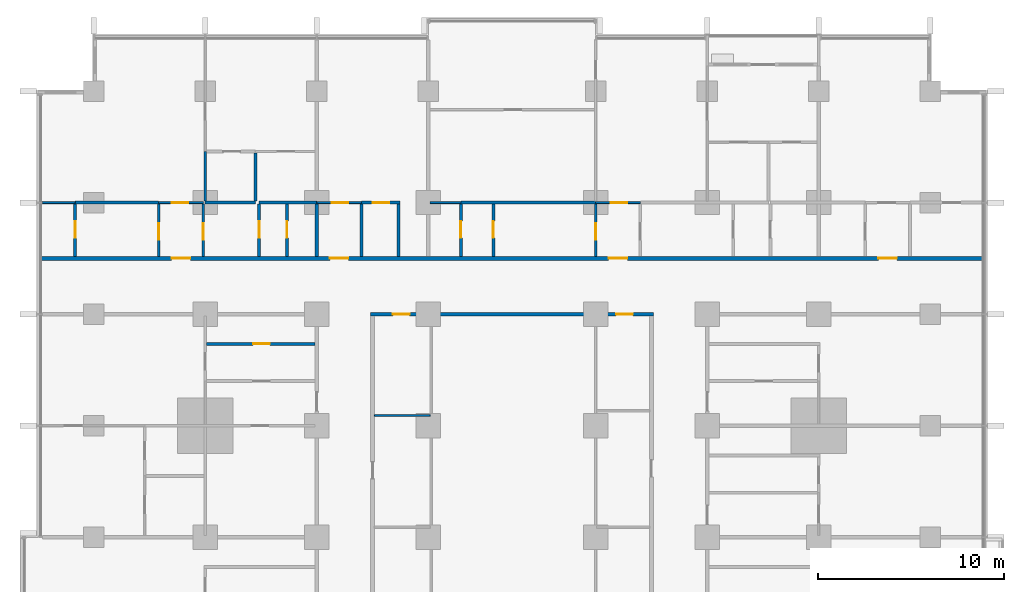
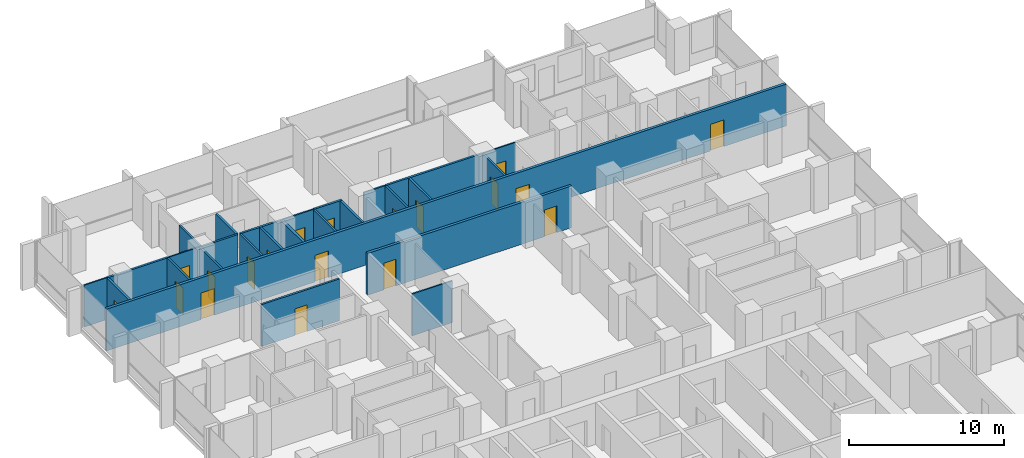
# One storey, part 11 of 18: 27 walls, 19 doors, 19 openings.
"""IFC4 building model written with IfcOpenShell, lengths in metres."""

from ifc_helpers import new_model, si_unit, direction, frame, frame_2d, origin, place, context, subcontext, project, spatial, rectangle, extrude, material, layer, layer_set, type_object, element, fill, save


model = new_model("IFC4")

# Units and contexts
model_context = context("Model", 3, precision=1e-05, world=origin(), true_north=direction((0.0, 1.0)))
body_context = subcontext(model_context, "Body", "Model", "MODEL_VIEW")
ifc_project = project(units=[si_unit("LENGTHUNIT", "METRE"), si_unit("AREAUNIT", "SQUARE_METRE"), si_unit("VOLUMEUNIT", "CUBIC_METRE"), si_unit("PLANEANGLEUNIT", "RADIAN"), si_unit("MASSUNIT", "GRAM", prefix="KILO")], contexts=[model_context])

# Site, building, storey
site_placement = place(None, origin())
site = spatial("IfcSite", under=ifc_project, at=site_placement, CompositionType="ELEMENT")
building_placement = place(site_placement, origin())
building = spatial("IfcBuilding", under=site, at=building_placement, Name="Finial Court Residences", CompositionType="ELEMENT")
storey_placement = place(building_placement, frame((0.0, 0.0, 46.89990234375)))
storey = spatial("IfcBuildingStorey", under=building, at=storey_placement, Name="L10", CompositionType="ELEMENT", Elevation=46.89990234375)

# Wall
ifc_material_1 = material(Name="Gypsum board")
ifc_layer_1 = layer(ifc_material_1, 0.02490234375)
ifc_material_2 = material(Name="Acoustic mineral wool in double frame")
ifc_layer_2 = layer(ifc_material_2, 0.14990234375)
ifc_layer_3 = layer(ifc_material_1, 0.02490234375)
ifc_layer_set_1 = layer_set([ifc_layer_1, ifc_layer_2, ifc_layer_3], Name="Acoustic party wall 200, 1 hour")
wall_type_1 = type_object("IfcWallType", Name="Acoustic party wall 200, 1 hour", PredefinedType="PARTITIONING", material=ifc_layer_set_1)
wall_1_placement = place(storey_placement, frame((-10.5, 16.60009765625, 0.0), z_axis=(0.0, 0.0, 1.0), x_axis=(0.0, 1.0, 0.0)))
element("IfcWall", 1, at=wall_1_placement, inside=storey, type_object=wall_type_1, Name="Partition L10-077", PredefinedType="PARTITIONING", context=body_context, shape_type="SweptSolid", body=[
    extrude(rectangle(XDim=2.824951171875, YDim=0.199951171875, at=frame_2d((1.41259765625, 0.0))), origin(), (0.0, 0.0, 1.0), 3.300048828125),
])

# Wall, openings, doors
ifc_layer_4 = layer(ifc_material_1, 0.02490234375)
ifc_layer_5 = layer(ifc_material_2, 0.14990234375)
ifc_layer_6 = layer(ifc_material_1, 0.02490234375)
ifc_layer_set_2 = layer_set([ifc_layer_4, ifc_layer_5, ifc_layer_6], Name="Corridor wall 200, 1 hour")
wall_type_2 = type_object("IfcWallType", Name="Corridor wall 200, 1 hour", PredefinedType="PARTITIONING", material=ifc_layer_set_2)
wall_2_placement = place(storey_placement, frame((-7.60009765625, 13.5, 0.0), z_axis=(0.0, 0.0, 1.0), x_axis=(1.0, 0.0, 0.0)))
wall_2 = element("IfcWall", 2, at=wall_2_placement, inside=storey, type_object=wall_type_2, Name="Partition L10-033", PredefinedType="PARTITIONING", context=body_context, shape_type="SweptSolid", body=[
    extrude(rectangle(XDim=15.2001953125, YDim=0.199951171875, at=frame_2d((7.60009765625, 0.0))), origin(), (0.0, 0.0, 1.0), 3.300048828125),
])
opening_1_placement = place(wall_2_placement, frame((1.199951171875, 0.0, 0.0)))
opening_1 = element("IfcOpeningElement", 3, at=opening_1_placement, cuts=wall_2, Name="Opening L10-D017", PredefinedType="OPENING", context=body_context, shape_type="SweptSolid", body=[
    extrude(rectangle(XDim=0.89990234375, YDim=2.10009765625, at=frame_2d((0.449951171875, 1.050048828125))), frame((0.0, 0.10986328125, 0.0), z_axis=(0.0, -1.0, 0.0), x_axis=(1.0, 0.0, 0.0)), (0.0, 0.0, 1.0), 0.219970703125),
])
opening_2_placement = place(wall_2_placement, frame((13.199951171875, 0.0, 0.0)))
opening_2 = element("IfcOpeningElement", 4, at=opening_2_placement, cuts=wall_2, Name="Opening L10-D018", PredefinedType="OPENING", context=body_context, shape_type="SweptSolid", body=[
    extrude(rectangle(XDim=0.89990234375, YDim=2.10009765625, at=frame_2d((0.449951171875, 1.050048828125))), frame((0.0, 0.10986328125, 0.0), z_axis=(0.0, -1.0, 0.0), x_axis=(1.0, 0.0, 0.0)), (0.0, 0.0, 1.0), 0.219970703125),
])
ifc_material_3 = material(Name="Timber door leaf in hollow metal frame", Category="wood")
door_type_1 = type_object("IfcDoorType", Name="Fire door set 900 x 2100, 30 minutes", OperationType="SINGLE_SWING_LEFT", PredefinedType="DOOR", material=ifc_material_3)
door_1_placement = place(opening_1_placement, origin())
door_1 = element("IfcDoor", 5, at=door_1_placement, inside=storey, type_object=door_type_1, Name="Door L10-D017", OperationType="SINGLE_SWING_LEFT", OverallHeight=2.10009765625, OverallWidth=0.89990234375, PredefinedType="DOOR", context=body_context, shape_type="SweptSolid", body=[
    extrude(rectangle(XDim=0.89990234375, YDim=2.10009765625, at=frame_2d((0.449951171875, 1.050048828125))), frame((0.0, 0.02490234375, 0.0), z_axis=(0.0, -1.0, 0.0), x_axis=(1.0, 0.0, 0.0)), (0.0, 0.0, 1.0), 0.050048828125),
])
fill(opening_1, door_1)
door_2_placement = place(opening_2_placement, origin())
door_2 = element("IfcDoor", 6, at=door_2_placement, inside=storey, type_object=door_type_1, Name="Door L10-D018", OperationType="SINGLE_SWING_RIGHT", OverallHeight=2.10009765625, OverallWidth=0.89990234375, PredefinedType="DOOR", context=body_context, shape_type="SweptSolid", body=[
    extrude(rectangle(XDim=0.89990234375, YDim=2.10009765625, at=frame_2d((0.449951171875, 1.050048828125))), frame((0.0, 0.02490234375, 0.0), z_axis=(0.0, -1.0, 0.0), x_axis=(1.0, 0.0, 0.0)), (0.0, 0.0, 1.0), 0.050048828125),
])
fill(opening_2, door_2)

wall_3_placement = place(storey_placement, frame((-25.35009765625, 16.5, 0.0), z_axis=(0.0, 0.0, 1.0), x_axis=(1.0, 0.0, 0.0)))
wall_3 = element("IfcWall", 7, at=wall_3_placement, inside=storey, type_object=wall_type_2, Name="Partition L10-035", PredefinedType="PARTITIONING", context=body_context, shape_type="SweptSolid", body=[
    extrude(rectangle(XDim=50.7001953125, YDim=0.199951171875, at=frame_2d((25.35009765625, 0.0))), origin(), (0.0, 0.0, 1.0), 3.300048828125),
])
opening_3_placement = place(wall_3_placement, frame((7.050048828125, 0.0, 0.0)))
opening_3 = element("IfcOpeningElement", 8, at=opening_3_placement, cuts=wall_3, Name="Opening L10-D019", PredefinedType="OPENING", context=body_context, shape_type="SweptSolid", body=[
    extrude(rectangle(XDim=1.0, YDim=2.10009765625, at=frame_2d((0.5, 1.050048828125))), frame((0.0, 0.10986328125, 0.0), z_axis=(0.0, -1.0, 0.0), x_axis=(1.0, 0.0, 0.0)), (0.0, 0.0, 1.0), 0.219970703125),
])
opening_4_placement = place(wall_3_placement, frame((15.550048828125, 0.0, 0.0)))
opening_4 = element("IfcOpeningElement", 9, at=opening_4_placement, cuts=wall_3, Name="Opening L10-D020", PredefinedType="OPENING", context=body_context, shape_type="SweptSolid", body=[
    extrude(rectangle(XDim=1.0, YDim=2.10009765625, at=frame_2d((0.5, 1.050048828125))), frame((0.0, 0.10986328125, 0.0), z_axis=(0.0, -1.0, 0.0), x_axis=(1.0, 0.0, 0.0)), (0.0, 0.0, 1.0), 0.219970703125),
])
opening_5_placement = place(wall_3_placement, frame((30.550048828125, 0.0, 0.0)))
opening_5 = element("IfcOpeningElement", 10, at=opening_5_placement, cuts=wall_3, Name="Opening L10-D021", PredefinedType="OPENING", context=body_context, shape_type="SweptSolid", body=[
    extrude(rectangle(XDim=1.0, YDim=2.10009765625, at=frame_2d((0.5, 1.050048828125))), frame((0.0, 0.10986328125, 0.0), z_axis=(0.0, -1.0, 0.0), x_axis=(1.0, 0.0, 0.0)), (0.0, 0.0, 1.0), 0.219970703125),
])
opening_6_placement = place(wall_3_placement, frame((45.050048828125, 0.0, 0.0)))
opening_6 = element("IfcOpeningElement", 11, at=opening_6_placement, cuts=wall_3, Name="Opening L10-D022", PredefinedType="OPENING", context=body_context, shape_type="SweptSolid", body=[
    extrude(rectangle(XDim=1.0, YDim=2.10009765625, at=frame_2d((0.5, 1.050048828125))), frame((0.0, 0.10986328125, 0.0), z_axis=(0.0, -1.0, 0.0), x_axis=(1.0, 0.0, 0.0)), (0.0, 0.0, 1.0), 0.219970703125),
])
door_type_2 = type_object("IfcDoorType", Name="Fire door set 1000 x 2100, 30 minutes", OperationType="SINGLE_SWING_LEFT", PredefinedType="DOOR", material=ifc_material_3)
door_3_placement = place(opening_3_placement, origin())
door_3 = element("IfcDoor", 12, at=door_3_placement, inside=storey, type_object=door_type_2, Name="Door L10-D019", OperationType="SINGLE_SWING_RIGHT", OverallHeight=2.10009765625, OverallWidth=1.0, PredefinedType="DOOR", context=body_context, shape_type="SweptSolid", body=[
    extrude(rectangle(XDim=1.0, YDim=2.10009765625, at=frame_2d((0.5, 1.050048828125))), frame((0.0, 0.02490234375, 0.0), z_axis=(0.0, -1.0, 0.0), x_axis=(1.0, 0.0, 0.0)), (0.0, 0.0, 1.0), 0.050048828125),
])
fill(opening_3, door_3)
door_4_placement = place(opening_4_placement, origin())
door_4 = element("IfcDoor", 13, at=door_4_placement, inside=storey, type_object=door_type_2, Name="Door L10-D020", OperationType="SINGLE_SWING_RIGHT", OverallHeight=2.10009765625, OverallWidth=1.0, PredefinedType="DOOR", context=body_context, shape_type="SweptSolid", body=[
    extrude(rectangle(XDim=1.0, YDim=2.10009765625, at=frame_2d((0.5, 1.050048828125))), frame((0.0, 0.02490234375, 0.0), z_axis=(0.0, -1.0, 0.0), x_axis=(1.0, 0.0, 0.0)), (0.0, 0.0, 1.0), 0.050048828125),
])
fill(opening_4, door_4)
door_5_placement = place(opening_5_placement, origin())
door_5 = element("IfcDoor", 14, at=door_5_placement, inside=storey, type_object=door_type_2, Name="Door L10-D021", OperationType="SINGLE_SWING_LEFT", OverallHeight=2.10009765625, OverallWidth=1.0, PredefinedType="DOOR", context=body_context, shape_type="SweptSolid", body=[
    extrude(rectangle(XDim=1.0, YDim=2.10009765625, at=frame_2d((0.5, 1.050048828125))), frame((0.0, 0.02490234375, 0.0), z_axis=(0.0, -1.0, 0.0), x_axis=(1.0, 0.0, 0.0)), (0.0, 0.0, 1.0), 0.050048828125),
])
fill(opening_5, door_5)
door_6_placement = place(opening_6_placement, origin())
door_6 = element("IfcDoor", 15, at=door_6_placement, inside=storey, type_object=door_type_2, Name="Door L10-D022", OperationType="SINGLE_SWING_LEFT", OverallHeight=2.10009765625, OverallWidth=1.0, PredefinedType="DOOR", context=body_context, shape_type="SweptSolid", body=[
    extrude(rectangle(XDim=1.0, YDim=2.10009765625, at=frame_2d((0.5, 1.050048828125))), frame((0.0, 0.02490234375, 0.0), z_axis=(0.0, -1.0, 0.0), x_axis=(1.0, 0.0, 0.0)), (0.0, 0.0, 1.0), 0.050048828125),
])
fill(opening_6, door_6)

# Walls
ifc_layer_7 = layer(ifc_material_1, 0.012451171875)
ifc_material_4 = material(Name="Mineral wool in light-gauge frame")
ifc_layer_8 = layer(ifc_material_4, 0.074951171875)
ifc_layer_9 = layer(ifc_material_1, 0.012451171875)
ifc_layer_set_3 = layer_set([ifc_layer_7, ifc_layer_8, ifc_layer_9], Name="Gypsum board partition 100")
wall_type_3 = type_object("IfcWallType", Name="Gypsum board partition 100", PredefinedType="PARTITIONING", material=ifc_layer_set_3)
wall_4_placement = place(storey_placement, frame((-7.39990234375, 8.050048828125, 0.0), z_axis=(0.0, 0.0, 1.0), x_axis=(1.0, 0.0, 0.0)))
element("IfcWall", 16, at=wall_4_placement, inside=storey, type_object=wall_type_3, Name="Partition L10-026", PredefinedType="PARTITIONING", context=body_context, shape_type="SweptSolid", body=[
    extrude(rectangle(XDim=3.0, YDim=0.10009765625, at=frame_2d((1.5, 0.0))), origin(), (0.0, 0.0, 1.0), 3.300048828125),
])
wall_5_placement = place(storey_placement, frame((-25.25, 19.5, 0.0), z_axis=(0.0, 0.0, 1.0), x_axis=(1.0, 0.0, 0.0)))
element("IfcWall", 17, at=wall_5_placement, inside=storey, type_object=wall_type_3, Name="Partition L10-036", PredefinedType="PARTITIONING", context=body_context, shape_type="SweptSolid", body=[
    extrude(rectangle(XDim=1.75, YDim=0.10009765625, at=frame_2d((0.875, 0.0))), origin(), (0.0, 0.0, 1.0), 3.300048828125),
])

# Wall, opening, door
wall_6_placement = place(storey_placement, frame((-19.0, 19.5, 0.0), z_axis=(0.0, 0.0, 1.0), x_axis=(1.0, 0.0, 0.0)))
wall_6 = element("IfcWall", 18, at=wall_6_placement, inside=storey, type_object=wall_type_3, Name="Partition L10-037", PredefinedType="PARTITIONING", context=body_context, shape_type="SweptSolid", body=[
    extrude(rectangle(XDim=2.39990234375, YDim=0.10009765625, at=frame_2d((1.199951171875, 0.0))), origin(), (0.0, 0.0, 1.0), 3.300048828125),
])
opening_7_placement = place(wall_6_placement, frame((0.699951171875, 0.0, 0.0)))
opening_7 = element("IfcOpeningElement", 19, at=opening_7_placement, cuts=wall_6, Name="Opening L10-D023", PredefinedType="OPENING", context=body_context, shape_type="SweptSolid", body=[
    extrude(rectangle(XDim=0.89990234375, YDim=2.10009765625, at=frame_2d((0.449951171875, 1.050048828125))), frame((0.0, 0.06005859375, 0.0), z_axis=(0.0, -1.0, 0.0), x_axis=(1.0, 0.0, 0.0)), (0.0, 0.0, 1.0), 0.1201171875),
])
ifc_material_5 = material(Name="Timber door leaf in timber frame", Category="wood")
door_type_3 = type_object("IfcDoorType", Name="Door set 900 x 2100", OperationType="SINGLE_SWING_LEFT", PredefinedType="DOOR", material=ifc_material_5)
door_7_placement = place(opening_7_placement, origin())
door_7 = element("IfcDoor", 20, at=door_7_placement, inside=storey, type_object=door_type_3, Name="Door L10-D023", OperationType="SINGLE_SWING_LEFT", OverallHeight=2.10009765625, OverallWidth=0.89990234375, PredefinedType="DOOR", context=body_context, shape_type="SweptSolid", body=[
    extrude(rectangle(XDim=0.89990234375, YDim=2.10009765625, at=frame_2d((0.449951171875, 1.050048828125))), frame((0.0, 0.02490234375, 0.0), z_axis=(0.0, -1.0, 0.0), x_axis=(1.0, 0.0, 0.0)), (0.0, 0.0, 1.0), 0.050048828125),
])
fill(opening_7, door_7)

wall_7_placement = place(storey_placement, frame((-10.5, 19.5, 0.0), z_axis=(0.0, 0.0, 1.0), x_axis=(1.0, 0.0, 0.0)))
wall_7 = element("IfcWall", 21, at=wall_7_placement, inside=storey, type_object=wall_type_3, Name="Partition L10-038", PredefinedType="PARTITIONING", context=body_context, shape_type="SweptSolid", body=[
    extrude(rectangle(XDim=2.39990234375, YDim=0.10009765625, at=frame_2d((1.199951171875, 0.0))), origin(), (0.0, 0.0, 1.0), 3.300048828125),
])
opening_8_placement = place(wall_7_placement, frame((0.800048828125, 0.0, 0.0)))
opening_8 = element("IfcOpeningElement", 22, at=opening_8_placement, cuts=wall_7, Name="Opening L10-D024", PredefinedType="OPENING", context=body_context, shape_type="SweptSolid", body=[
    extrude(rectangle(XDim=0.89990234375, YDim=2.10009765625, at=frame_2d((0.449951171875, 1.050048828125))), frame((0.0, 0.06005859375, 0.0), z_axis=(0.0, -1.0, 0.0), x_axis=(1.0, 0.0, 0.0)), (0.0, 0.0, 1.0), 0.1201171875),
])
door_8_placement = place(opening_8_placement, origin())
door_8 = element("IfcDoor", 23, at=door_8_placement, inside=storey, type_object=door_type_3, Name="Door L10-D024", OperationType="SINGLE_SWING_RIGHT", OverallHeight=2.10009765625, OverallWidth=0.89990234375, PredefinedType="DOOR", context=body_context, shape_type="SweptSolid", body=[
    extrude(rectangle(XDim=0.89990234375, YDim=2.10009765625, at=frame_2d((0.449951171875, 1.050048828125))), frame((0.0, 0.02490234375, 0.0), z_axis=(0.0, -1.0, 0.0), x_axis=(1.0, 0.0, 0.0)), (0.0, 0.0, 1.0), 0.050048828125),
])
fill(opening_8, door_8)

# Wall
wall_8_placement = place(storey_placement, frame((-4.39990234375, 19.5, 0.0), z_axis=(0.0, 0.0, 1.0), x_axis=(1.0, 0.0, 0.0)))
element("IfcWall", 24, at=wall_8_placement, inside=storey, type_object=wall_type_3, Name="Partition L10-039", PredefinedType="PARTITIONING", context=body_context, shape_type="SweptSolid", body=[
    extrude(rectangle(XDim=1.64990234375, YDim=0.10009765625, at=frame_2d((0.824951171875, 0.0))), origin(), (0.0, 0.0, 1.0), 3.300048828125),
])

# Wall, opening, door
wall_9_placement = place(storey_placement, frame((4.5, 19.5, 0.0), z_axis=(0.0, 0.0, 1.0), x_axis=(1.0, 0.0, 0.0)))
wall_9 = element("IfcWall", 25, at=wall_9_placement, inside=storey, type_object=wall_type_3, Name="Partition L10-040", PredefinedType="PARTITIONING", context=body_context, shape_type="SweptSolid", body=[
    extrude(rectangle(XDim=2.39990234375, YDim=0.10009765625, at=frame_2d((1.199951171875, 0.0))), origin(), (0.0, 0.0, 1.0), 3.300048828125),
])
opening_9_placement = place(wall_9_placement, frame((0.800048828125, 0.0, 0.0)))
opening_9 = element("IfcOpeningElement", 26, at=opening_9_placement, cuts=wall_9, Name="Opening L10-D025", PredefinedType="OPENING", context=body_context, shape_type="SweptSolid", body=[
    extrude(rectangle(XDim=0.89990234375, YDim=2.10009765625, at=frame_2d((0.449951171875, 1.050048828125))), frame((0.0, 0.06005859375, 0.0), z_axis=(0.0, -1.0, 0.0), x_axis=(1.0, 0.0, 0.0)), (0.0, 0.0, 1.0), 0.1201171875),
])
door_9_placement = place(opening_9_placement, origin())
door_9 = element("IfcDoor", 27, at=door_9_placement, inside=storey, type_object=door_type_3, Name="Door L10-D025", OperationType="SINGLE_SWING_LEFT", OverallHeight=2.10009765625, OverallWidth=0.89990234375, PredefinedType="DOOR", context=body_context, shape_type="SweptSolid", body=[
    extrude(rectangle(XDim=0.89990234375, YDim=2.10009765625, at=frame_2d((0.449951171875, 1.050048828125))), frame((0.0, 0.02490234375, 0.0), z_axis=(0.0, -1.0, 0.0), x_axis=(1.0, 0.0, 0.0)), (0.0, 0.0, 1.0), 0.050048828125),
])
fill(opening_9, door_9)

ifc_material_6 = material(Name="Moisture-resistant gypsum board")
ifc_layer_10 = layer(ifc_material_6, 0.012451171875)
ifc_layer_11 = layer(ifc_material_4, 0.125)
ifc_layer_12 = layer(ifc_material_6, 0.012451171875)
ifc_layer_set_4 = layer_set([ifc_layer_10, ifc_layer_11, ifc_layer_12], Name="Gypsum board wet-area partition 150")
wall_type_4 = type_object("IfcWallType", Name="Gypsum board wet-area partition 150", PredefinedType="PARTITIONING", material=ifc_layer_set_4)
wall_10_placement = place(storey_placement, frame((-16.425048828125, 11.89990234375, 0.0), z_axis=(0.0, 0.0, 1.0), x_axis=(1.0, 0.0, 0.0)))
wall_10 = element("IfcWall", 28, at=wall_10_placement, inside=storey, type_object=wall_type_4, Name="Partition L10-030", PredefinedType="PARTITIONING", context=body_context, shape_type="SweptSolid", body=[
    extrude(rectangle(XDim=5.824951171875, YDim=0.14990234375, at=frame_2d((2.91259765625, 0.0))), origin(), (0.0, 0.0, 1.0), 3.300048828125),
])
opening_10_placement = place(wall_10_placement, frame((2.5, 0.0, 0.0)))
opening_10 = element("IfcOpeningElement", 29, at=opening_10_placement, cuts=wall_10, Name="Opening L10-D016", PredefinedType="OPENING", context=body_context, shape_type="SweptSolid", body=[
    extrude(rectangle(XDim=0.89990234375, YDim=2.10009765625, at=frame_2d((0.449951171875, 1.050048828125))), frame((0.0, 0.0849609375, 0.0), z_axis=(0.0, -1.0, 0.0), x_axis=(1.0, 0.0, 0.0)), (0.0, 0.0, 1.0), 0.169921875),
])
door_10_placement = place(opening_10_placement, origin())
door_10 = element("IfcDoor", 30, at=door_10_placement, inside=storey, type_object=door_type_3, Name="Door L10-D016", OperationType="SINGLE_SWING_LEFT", OverallHeight=2.10009765625, OverallWidth=0.89990234375, PredefinedType="DOOR", context=body_context, shape_type="SweptSolid", body=[
    extrude(rectangle(XDim=0.89990234375, YDim=2.10009765625, at=frame_2d((0.449951171875, 1.050048828125))), frame((0.0, 0.02490234375, 0.0), z_axis=(0.0, -1.0, 0.0), x_axis=(1.0, 0.0, 0.0)), (0.0, 0.0, 1.0), 0.050048828125),
])
fill(opening_10, door_10)

# Walls
wall_11_placement = place(storey_placement, frame((-23.5, 19.5, 0.0), z_axis=(0.0, 0.0, 1.0), x_axis=(1.0, 0.0, 0.0)))
element("IfcWall", 31, at=wall_11_placement, inside=storey, type_object=wall_type_4, Name="Partition L10-042", PredefinedType="PARTITIONING", context=body_context, shape_type="SweptSolid", body=[
    extrude(rectangle(XDim=4.5, YDim=0.14990234375, at=frame_2d((2.25, 0.0))), origin(), (0.0, 0.0, 1.0), 3.300048828125),
])
wall_12_placement = place(storey_placement, frame((-16.5, 19.5, 0.0), z_axis=(0.0, 0.0, 1.0), x_axis=(1.0, 0.0, 0.0)))
element("IfcWall", 32, at=wall_12_placement, inside=storey, type_object=wall_type_4, Name="Partition L10-043", PredefinedType="PARTITIONING", context=body_context, shape_type="SweptSolid", body=[
    extrude(rectangle(XDim=2.699951171875, YDim=0.14990234375, at=frame_2d((1.35009765625, 0.0))), origin(), (0.0, 0.0, 1.0), 3.300048828125),
])
wall_13_placement = place(storey_placement, frame((-13.60009765625, 19.5, 0.0), z_axis=(0.0, 0.0, 1.0), x_axis=(1.0, 0.0, 0.0)))
element("IfcWall", 33, at=wall_13_placement, inside=storey, type_object=wall_type_4, Name="Partition L10-044", PredefinedType="PARTITIONING", context=body_context, shape_type="SweptSolid", body=[
    extrude(rectangle(XDim=3.10009765625, YDim=0.14990234375, at=frame_2d((1.550048828125, 0.0))), origin(), (0.0, 0.0, 1.0), 3.300048828125),
])

# Wall, opening, door
wall_14_placement = place(storey_placement, frame((-8.10009765625, 19.5, 0.0), z_axis=(0.0, 0.0, 1.0), x_axis=(1.0, 0.0, 0.0)))
wall_14 = element("IfcWall", 34, at=wall_14_placement, inside=storey, type_object=wall_type_4, Name="Partition L10-045", PredefinedType="PARTITIONING", context=body_context, shape_type="SweptSolid", body=[
    extrude(rectangle(XDim=2.0751953125, YDim=0.14990234375, at=frame_2d((1.03759765625, 0.0))), origin(), (0.0, 0.0, 1.0), 3.300048828125),
])
opening_11_placement = place(wall_14_placement, frame((0.60009765625, 0.0, 0.0)))
opening_11 = element("IfcOpeningElement", 35, at=opening_11_placement, cuts=wall_14, Name="Opening L10-D027", PredefinedType="OPENING", context=body_context, shape_type="SweptSolid", body=[
    extrude(rectangle(XDim=0.89990234375, YDim=2.10009765625, at=frame_2d((0.449951171875, 1.050048828125))), frame((0.0, 0.0849609375, 0.0), z_axis=(0.0, -1.0, 0.0), x_axis=(1.0, 0.0, 0.0)), (0.0, 0.0, 1.0), 0.169921875),
])
door_11_placement = place(opening_11_placement, origin())
door_11 = element("IfcDoor", 36, at=door_11_placement, inside=storey, type_object=door_type_3, Name="Door L10-D027", OperationType="SINGLE_SWING_RIGHT", OverallHeight=2.10009765625, OverallWidth=0.89990234375, PredefinedType="DOOR", context=body_context, shape_type="SweptSolid", body=[
    extrude(rectangle(XDim=0.89990234375, YDim=2.10009765625, at=frame_2d((0.449951171875, 1.050048828125))), frame((0.0, 0.02490234375, 0.0), z_axis=(0.0, -1.0, 0.0), x_axis=(1.0, 0.0, 0.0)), (0.0, 0.0, 1.0), 0.050048828125),
])
fill(opening_11, door_11)

# Wall
wall_15_placement = place(storey_placement, frame((-2.75, 19.5, 0.0), z_axis=(0.0, 0.0, 1.0), x_axis=(1.0, 0.0, 0.0)))
element("IfcWall", 37, at=wall_15_placement, inside=storey, type_object=wall_type_4, Name="Partition L10-046", PredefinedType="PARTITIONING", context=body_context, shape_type="SweptSolid", body=[
    extrude(rectangle(XDim=7.25, YDim=0.14990234375, at=frame_2d((3.625, 0.0))), origin(), (0.0, 0.0, 1.0), 3.300048828125),
])

# Wall, opening, door
wall_16_placement = place(storey_placement, frame((-23.5, 16.60009765625, 0.0), z_axis=(0.0, 0.0, 1.0), x_axis=(0.0, 1.0, 0.0)))
wall_16 = element("IfcWall", 38, at=wall_16_placement, inside=storey, type_object=wall_type_4, Name="Partition L10-055", PredefinedType="PARTITIONING", context=body_context, shape_type="SweptSolid", body=[
    extrude(rectangle(XDim=2.824951171875, YDim=0.14990234375, at=frame_2d((1.41259765625, 0.0))), origin(), (0.0, 0.0, 1.0), 3.300048828125),
])
opening_12_placement = place(wall_16_placement, frame((1.0, 0.0, 0.0)))
opening_12 = element("IfcOpeningElement", 39, at=opening_12_placement, cuts=wall_16, Name="Opening L10-D034", PredefinedType="OPENING", context=body_context, shape_type="SweptSolid", body=[
    extrude(rectangle(XDim=0.89990234375, YDim=2.10009765625, at=frame_2d((0.449951171875, 1.050048828125))), frame((0.0, 0.0849609375, 0.0), z_axis=(0.0, -1.0, 0.0), x_axis=(1.0, 0.0, 0.0)), (0.0, 0.0, 1.0), 0.169921875),
])
door_12_placement = place(opening_12_placement, origin())
door_12 = element("IfcDoor", 40, at=door_12_placement, inside=storey, type_object=door_type_3, Name="Door L10-D034", OperationType="SINGLE_SWING_RIGHT", OverallHeight=2.10009765625, OverallWidth=0.89990234375, PredefinedType="DOOR", context=body_context, shape_type="SweptSolid", body=[
    extrude(rectangle(XDim=0.89990234375, YDim=2.10009765625, at=frame_2d((0.449951171875, 1.050048828125))), frame((0.0, 0.02490234375, 0.0), z_axis=(0.0, -1.0, 0.0), x_axis=(1.0, 0.0, 0.0)), (0.0, 0.0, 1.0), 0.050048828125),
])
fill(opening_12, door_12)

wall_17_placement = place(storey_placement, frame((-19.0, 16.60009765625, 0.0), z_axis=(0.0, 0.0, 1.0), x_axis=(0.0, 1.0, 0.0)))
wall_17 = element("IfcWall", 41, at=wall_17_placement, inside=storey, type_object=wall_type_4, Name="Partition L10-061", PredefinedType="PARTITIONING", context=body_context, shape_type="SweptSolid", body=[
    extrude(rectangle(XDim=2.824951171875, YDim=0.14990234375, at=frame_2d((1.41259765625, 0.0))), origin(), (0.0, 0.0, 1.0), 3.300048828125),
])
opening_13_placement = place(wall_17_placement, frame((0.89990234375, 0.0, 0.0)))
opening_13 = element("IfcOpeningElement", 42, at=opening_13_placement, cuts=wall_17, Name="Opening L10-D040", PredefinedType="OPENING", context=body_context, shape_type="SweptSolid", body=[
    extrude(rectangle(XDim=0.89990234375, YDim=2.10009765625, at=frame_2d((0.449951171875, 1.050048828125))), frame((0.0, 0.0849609375, 0.0), z_axis=(0.0, -1.0, 0.0), x_axis=(1.0, 0.0, 0.0)), (0.0, 0.0, 1.0), 0.169921875),
])
door_13_placement = place(opening_13_placement, origin())
door_13 = element("IfcDoor", 43, at=door_13_placement, inside=storey, type_object=door_type_3, Name="Door L10-D040", OperationType="SINGLE_SWING_LEFT", OverallHeight=2.10009765625, OverallWidth=0.89990234375, PredefinedType="DOOR", context=body_context, shape_type="SweptSolid", body=[
    extrude(rectangle(XDim=0.89990234375, YDim=2.10009765625, at=frame_2d((0.449951171875, 1.050048828125))), frame((0.0, 0.02490234375, 0.0), z_axis=(0.0, -1.0, 0.0), x_axis=(1.0, 0.0, 0.0)), (0.0, 0.0, 1.0), 0.050048828125),
])
fill(opening_13, door_13)

wall_18_placement = place(storey_placement, frame((-16.60009765625, 16.60009765625, 0.0), z_axis=(0.0, 0.0, 1.0), x_axis=(0.0, 1.0, 0.0)))
wall_18 = element("IfcWall", 44, at=wall_18_placement, inside=storey, type_object=wall_type_4, Name="Partition L10-062", PredefinedType="PARTITIONING", context=body_context, shape_type="SweptSolid", body=[
    extrude(rectangle(XDim=2.824951171875, YDim=0.14990234375, at=frame_2d((1.41259765625, 0.0))), origin(), (0.0, 0.0, 1.0), 3.300048828125),
])
opening_14_placement = place(wall_18_placement, frame((0.89990234375, 0.0, 0.0)))
opening_14 = element("IfcOpeningElement", 45, at=opening_14_placement, cuts=wall_18, Name="Opening L10-D041", PredefinedType="OPENING", context=body_context, shape_type="SweptSolid", body=[
    extrude(rectangle(XDim=0.89990234375, YDim=2.10009765625, at=frame_2d((0.449951171875, 1.050048828125))), frame((0.0, 0.0849609375, 0.0), z_axis=(0.0, -1.0, 0.0), x_axis=(1.0, 0.0, 0.0)), (0.0, 0.0, 1.0), 0.169921875),
])
door_14_placement = place(opening_14_placement, origin())
door_14 = element("IfcDoor", 46, at=door_14_placement, inside=storey, type_object=door_type_3, Name="Door L10-D041", OperationType="SINGLE_SWING_RIGHT", OverallHeight=2.10009765625, OverallWidth=0.89990234375, PredefinedType="DOOR", context=body_context, shape_type="SweptSolid", body=[
    extrude(rectangle(XDim=0.89990234375, YDim=2.10009765625, at=frame_2d((0.449951171875, 1.050048828125))), frame((0.0, 0.02490234375, 0.0), z_axis=(0.0, -1.0, 0.0), x_axis=(1.0, 0.0, 0.0)), (0.0, 0.0, 1.0), 0.050048828125),
])
fill(opening_14, door_14)

# Walls
wall_19_placement = place(storey_placement, frame((-16.5, 19.574951171875, 0.0), z_axis=(0.0, 0.0, 1.0), x_axis=(0.0, 1.0, 0.0)))
element("IfcWall", 47, at=wall_19_placement, inside=storey, type_object=wall_type_4, Name="Partition L10-072", PredefinedType="PARTITIONING", context=body_context, shape_type="SweptSolid", body=[
    extrude(rectangle(XDim=2.675048828125, YDim=0.14990234375, at=frame_2d((1.33740234375, 0.0))), origin(), (0.0, 0.0, 1.0), 3.300048828125),
])
wall_20_placement = place(storey_placement, frame((-13.800048828125, 19.574951171875, 0.0), z_axis=(0.0, 0.0, 1.0), x_axis=(0.0, 1.0, 0.0)))
element("IfcWall", 48, at=wall_20_placement, inside=storey, type_object=wall_type_4, Name="Partition L10-073", PredefinedType="PARTITIONING", context=body_context, shape_type="SweptSolid", body=[
    extrude(rectangle(XDim=2.60009765625, YDim=0.14990234375, at=frame_2d((1.300048828125, 0.0))), origin(), (0.0, 0.0, 1.0), 3.300048828125),
])

# Wall, opening, door
wall_21_placement = place(storey_placement, frame((-13.60009765625, 16.60009765625, 0.0), z_axis=(0.0, 0.0, 1.0), x_axis=(0.0, 1.0, 0.0)))
wall_21 = element("IfcWall", 49, at=wall_21_placement, inside=storey, type_object=wall_type_4, Name="Partition L10-074", PredefinedType="PARTITIONING", context=body_context, shape_type="SweptSolid", body=[
    extrude(rectangle(XDim=2.824951171875, YDim=0.14990234375, at=frame_2d((1.41259765625, 0.0))), origin(), (0.0, 0.0, 1.0), 3.300048828125),
])
opening_15_placement = place(wall_21_placement, frame((1.0, 0.0, 0.0)))
opening_15 = element("IfcOpeningElement", 50, at=opening_15_placement, cuts=wall_21, Name="Opening L10-D047", PredefinedType="OPENING", context=body_context, shape_type="SweptSolid", body=[
    extrude(rectangle(XDim=0.89990234375, YDim=2.10009765625, at=frame_2d((0.449951171875, 1.050048828125))), frame((0.0, 0.0849609375, 0.0), z_axis=(0.0, -1.0, 0.0), x_axis=(1.0, 0.0, 0.0)), (0.0, 0.0, 1.0), 0.169921875),
])
door_15_placement = place(opening_15_placement, origin())
door_15 = element("IfcDoor", 51, at=door_15_placement, inside=storey, type_object=door_type_3, Name="Door L10-D047", OperationType="SINGLE_SWING_RIGHT", OverallHeight=2.10009765625, OverallWidth=0.89990234375, PredefinedType="DOOR", context=body_context, shape_type="SweptSolid", body=[
    extrude(rectangle(XDim=0.89990234375, YDim=2.10009765625, at=frame_2d((0.449951171875, 1.050048828125))), frame((0.0, 0.02490234375, 0.0), z_axis=(0.0, -1.0, 0.0), x_axis=(1.0, 0.0, 0.0)), (0.0, 0.0, 1.0), 0.050048828125),
])
fill(opening_15, door_15)

wall_22_placement = place(storey_placement, frame((-12.10009765625, 16.60009765625, 0.0), z_axis=(0.0, 0.0, 1.0), x_axis=(0.0, 1.0, 0.0)))
wall_22 = element("IfcWall", 52, at=wall_22_placement, inside=storey, type_object=wall_type_4, Name="Partition L10-075", PredefinedType="PARTITIONING", context=body_context, shape_type="SweptSolid", body=[
    extrude(rectangle(XDim=2.824951171875, YDim=0.14990234375, at=frame_2d((1.41259765625, 0.0))), origin(), (0.0, 0.0, 1.0), 3.300048828125),
])
opening_16_placement = place(wall_22_placement, frame((1.0, 0.0, 0.0)))
opening_16 = element("IfcOpeningElement", 53, at=opening_16_placement, cuts=wall_22, Name="Opening L10-D048", PredefinedType="OPENING", context=body_context, shape_type="SweptSolid", body=[
    extrude(rectangle(XDim=0.89990234375, YDim=2.10009765625, at=frame_2d((0.449951171875, 1.050048828125))), frame((0.0, 0.0849609375, 0.0), z_axis=(0.0, -1.0, 0.0), x_axis=(1.0, 0.0, 0.0)), (0.0, 0.0, 1.0), 0.169921875),
])
door_16_placement = place(opening_16_placement, origin())
door_16 = element("IfcDoor", 54, at=door_16_placement, inside=storey, type_object=door_type_3, Name="Door L10-D048", OperationType="SINGLE_SWING_RIGHT", OverallHeight=2.10009765625, OverallWidth=0.89990234375, PredefinedType="DOOR", context=body_context, shape_type="SweptSolid", body=[
    extrude(rectangle(XDim=0.89990234375, YDim=2.10009765625, at=frame_2d((0.449951171875, 1.050048828125))), frame((0.0, 0.02490234375, 0.0), z_axis=(0.0, -1.0, 0.0), x_axis=(1.0, 0.0, 0.0)), (0.0, 0.0, 1.0), 0.050048828125),
])
fill(opening_16, door_16)

# Walls
for number, where, z_axis, x_axis, name in (
    (55, (-8.10009765625, 16.60009765625, 0.0), (0.0, 0.0, 1.0), (0.0, 1.0, 0.0), "Partition L10-079"),
    (56, (-6.10009765625, 16.60009765625, 0.0), (0.0, 0.0, 1.0), (0.0, 1.0, 0.0), "Partition L10-081"),
):
    element("IfcWall", number, at=place(storey_placement, frame(where, z_axis=z_axis, x_axis=x_axis)), inside=storey, type_object=wall_type_4, Name=name, PredefinedType="PARTITIONING", context=body_context, shape_type="SweptSolid", body=[
        extrude(rectangle(XDim=2.824951171875, YDim=0.14990234375, at=frame_2d((1.41259765625, 0.0))), origin(), (0.0, 0.0, 1.0), 3.300048828125),
    ])

# Wall, opening, door
wall_23_placement = place(storey_placement, frame((-2.75, 16.60009765625, 0.0), z_axis=(0.0, 0.0, 1.0), x_axis=(0.0, 1.0, 0.0)))
wall_23 = element("IfcWall", 57, at=wall_23_placement, inside=storey, type_object=wall_type_4, Name="Partition L10-084", PredefinedType="PARTITIONING", context=body_context, shape_type="SweptSolid", body=[
    extrude(rectangle(XDim=2.824951171875, YDim=0.14990234375, at=frame_2d((1.41259765625, 0.0))), origin(), (0.0, 0.0, 1.0), 3.300048828125),
])
opening_17_placement = place(wall_23_placement, frame((1.0, 0.0, 0.0)))
opening_17 = element("IfcOpeningElement", 58, at=opening_17_placement, cuts=wall_23, Name="Opening L10-D051", PredefinedType="OPENING", context=body_context, shape_type="SweptSolid", body=[
    extrude(rectangle(XDim=0.89990234375, YDim=2.10009765625, at=frame_2d((0.449951171875, 1.050048828125))), frame((0.0, 0.0849609375, 0.0), z_axis=(0.0, -1.0, 0.0), x_axis=(1.0, 0.0, 0.0)), (0.0, 0.0, 1.0), 0.169921875),
])
door_17_placement = place(opening_17_placement, origin())
door_17 = element("IfcDoor", 59, at=door_17_placement, inside=storey, type_object=door_type_3, Name="Door L10-D051", OperationType="SINGLE_SWING_LEFT", OverallHeight=2.10009765625, OverallWidth=0.89990234375, PredefinedType="DOOR", context=body_context, shape_type="SweptSolid", body=[
    extrude(rectangle(XDim=0.89990234375, YDim=2.10009765625, at=frame_2d((0.449951171875, 1.050048828125))), frame((0.0, 0.02490234375, 0.0), z_axis=(0.0, -1.0, 0.0), x_axis=(1.0, 0.0, 0.0)), (0.0, 0.0, 1.0), 0.050048828125),
])
fill(opening_17, door_17)

wall_24_placement = place(storey_placement, frame((-1.0, 16.60009765625, 0.0), z_axis=(0.0, 0.0, 1.0), x_axis=(0.0, 1.0, 0.0)))
wall_24 = element("IfcWall", 60, at=wall_24_placement, inside=storey, type_object=wall_type_4, Name="Partition L10-085", PredefinedType="PARTITIONING", context=body_context, shape_type="SweptSolid", body=[
    extrude(rectangle(XDim=2.824951171875, YDim=0.14990234375, at=frame_2d((1.41259765625, 0.0))), origin(), (0.0, 0.0, 1.0), 3.300048828125),
])
opening_18_placement = place(wall_24_placement, frame((1.0, 0.0, 0.0)))
opening_18 = element("IfcOpeningElement", 61, at=opening_18_placement, cuts=wall_24, Name="Opening L10-D052", PredefinedType="OPENING", context=body_context, shape_type="SweptSolid", body=[
    extrude(rectangle(XDim=0.89990234375, YDim=2.10009765625, at=frame_2d((0.449951171875, 1.050048828125))), frame((0.0, 0.0849609375, 0.0), z_axis=(0.0, -1.0, 0.0), x_axis=(1.0, 0.0, 0.0)), (0.0, 0.0, 1.0), 0.169921875),
])
door_18_placement = place(opening_18_placement, origin())
door_18 = element("IfcDoor", 62, at=door_18_placement, inside=storey, type_object=door_type_3, Name="Door L10-D052", OperationType="SINGLE_SWING_RIGHT", OverallHeight=2.10009765625, OverallWidth=0.89990234375, PredefinedType="DOOR", context=body_context, shape_type="SweptSolid", body=[
    extrude(rectangle(XDim=0.89990234375, YDim=2.10009765625, at=frame_2d((0.449951171875, 1.050048828125))), frame((0.0, 0.02490234375, 0.0), z_axis=(0.0, -1.0, 0.0), x_axis=(1.0, 0.0, 0.0)), (0.0, 0.0, 1.0), 0.050048828125),
])
fill(opening_18, door_18)

wall_25_placement = place(storey_placement, frame((4.5, 16.60009765625, 0.0), z_axis=(0.0, 0.0, 1.0), x_axis=(0.0, 1.0, 0.0)))
wall_25 = element("IfcWall", 63, at=wall_25_placement, inside=storey, type_object=wall_type_4, Name="Partition L10-088", PredefinedType="PARTITIONING", context=body_context, shape_type="SweptSolid", body=[
    extrude(rectangle(XDim=2.824951171875, YDim=0.14990234375, at=frame_2d((1.41259765625, 0.0))), origin(), (0.0, 0.0, 1.0), 3.300048828125),
])
opening_19_placement = place(wall_25_placement, frame((0.89990234375, 0.0, 0.0)))
opening_19 = element("IfcOpeningElement", 64, at=opening_19_placement, cuts=wall_25, Name="Opening L10-D054", PredefinedType="OPENING", context=body_context, shape_type="SweptSolid", body=[
    extrude(rectangle(XDim=0.89990234375, YDim=2.10009765625, at=frame_2d((0.449951171875, 1.050048828125))), frame((0.0, 0.0849609375, 0.0), z_axis=(0.0, -1.0, 0.0), x_axis=(1.0, 0.0, 0.0)), (0.0, 0.0, 1.0), 0.169921875),
])
door_19_placement = place(opening_19_placement, origin())
door_19 = element("IfcDoor", 65, at=door_19_placement, inside=storey, type_object=door_type_3, Name="Door L10-D054", OperationType="SINGLE_SWING_LEFT", OverallHeight=2.10009765625, OverallWidth=0.89990234375, PredefinedType="DOOR", context=body_context, shape_type="SweptSolid", body=[
    extrude(rectangle(XDim=0.89990234375, YDim=2.10009765625, at=frame_2d((0.449951171875, 1.050048828125))), frame((0.0, 0.02490234375, 0.0), z_axis=(0.0, -1.0, 0.0), x_axis=(1.0, 0.0, 0.0)), (0.0, 0.0, 1.0), 0.050048828125),
])
fill(opening_19, door_19)

save(model, "model.ifc")
